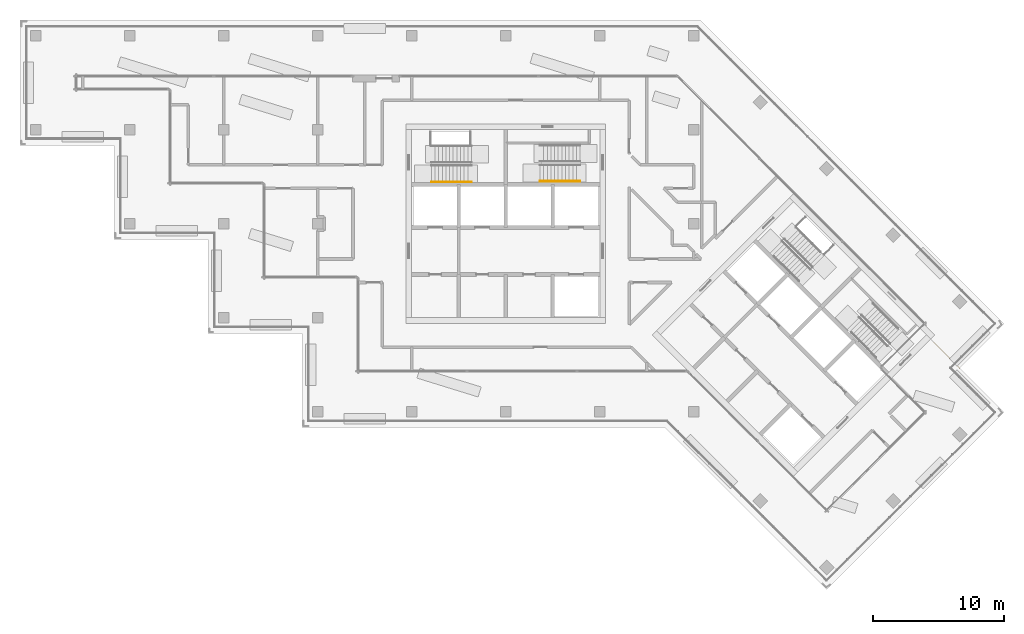
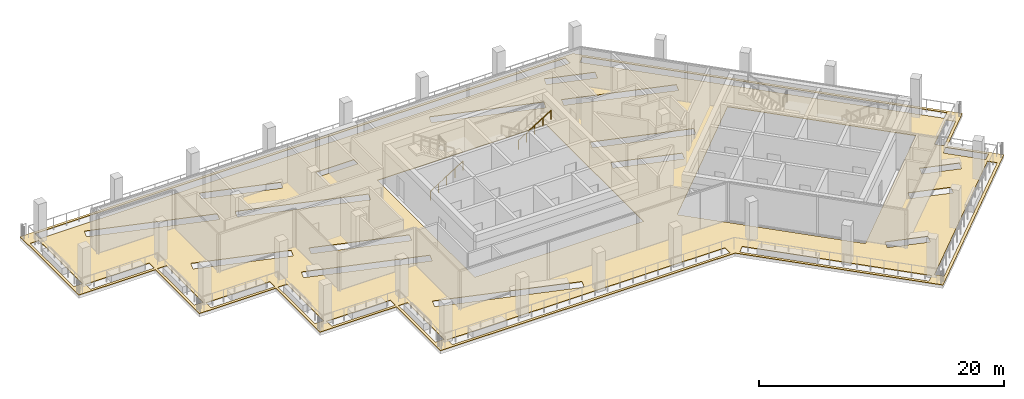
# One storey, part 14 of 20: 2 railings, 1 covering.
"""IFC4 building model written with IfcOpenShell, lengths in metres."""

from ifc_helpers import new_model, si_unit, direction, frame, origin, origin_2d, place, context, subcontext, project, spatial, polyline, circle, outline, extrude, material, layer, layer_set, type_object, element, save


model = new_model("IFC4")

# Units and contexts
model_context = context("Model", 3, precision=1e-05, world=origin(), true_north=direction((0.0, 1.0)))
body_context = subcontext(model_context, "Body", "Model", "MODEL_VIEW")
ifc_project = project(units=[si_unit("LENGTHUNIT", "METRE"), si_unit("AREAUNIT", "SQUARE_METRE"), si_unit("VOLUMEUNIT", "CUBIC_METRE"), si_unit("PLANEANGLEUNIT", "RADIAN"), si_unit("MASSUNIT", "GRAM", prefix="KILO")], contexts=[model_context])

# Site, building, storey
site_placement = place(None, origin())
site = spatial("IfcSite", under=ifc_project, at=site_placement, CompositionType="ELEMENT")
building_placement = place(site_placement, origin())
building = spatial("IfcBuilding", under=site, at=building_placement, Name="Windrow Commons", CompositionType="ELEMENT")
storey_placement = place(building_placement, frame((0.0, 0.0, 239.6)))
storey = spatial("IfcBuildingStorey", under=building, at=storey_placement, Name="L65", CompositionType="ELEMENT", Elevation=239.6)

# Railings
ifc_material_1 = material(Name="Steel S355", Category="steel")
railing_type = type_object("IfcRailingType", Name="Core stair handrail 900", PredefinedType="HANDRAIL", material=ifc_material_1)
railing_1_placement = place(storey_placement, frame((59.1, 60.8, 0.175)))
element("IfcRailing", 1, at=railing_1_placement, inside=storey, type_object=railing_type, Name="L65 ST-A1 stair handrail 1", PredefinedType="HANDRAIL", context=body_context, shape_type="SweptSolid", body=[
    extrude(circle(Radius=0.024, at=origin_2d()), frame((0.0, 0.0, 0.876), z_axis=(0.847998304, 0.0, 0.52999894), x_axis=(0.0, 1.0, 0.0)), (0.0, 0.0, 1.0), 3.6321),
    extrude(circle(Radius=0.021, at=origin_2d()), origin(), (0.0, 0.0, 1.0), 0.852),
    extrude(circle(Radius=0.021, at=origin_2d()), frame((0.77, 0.0, 0.4812)), (0.0, 0.0, 1.0), 0.852),
    extrude(circle(Radius=0.021, at=origin_2d()), frame((1.54, 0.0, 0.9625)), (0.0, 0.0, 1.0), 0.852),
    extrude(circle(Radius=0.021, at=origin_2d()), frame((2.31, 0.0, 1.4437)), (0.0, 0.0, 1.0), 0.852),
    extrude(circle(Radius=0.021, at=origin_2d()), frame((3.08, 0.0, 1.925)), (0.0, 0.0, 1.0), 0.852),
])
railing_2_placement = place(storey_placement, frame((67.42, 60.855, 2.275)))
element("IfcRailing", 2, at=railing_2_placement, inside=storey, type_object=railing_type, Name="L65 ST-A2 stair handrail 2", PredefinedType="HANDRAIL", context=body_context, shape_type="SweptSolid", body=[
    extrude(circle(Radius=0.024, at=origin_2d()), frame((0.0, 0.0, 0.876), z_axis=(0.847998304, 0.0, 0.52999894), x_axis=(0.0, 1.0, 0.0)), (0.0, 0.0, 1.0), 3.6321),
    extrude(circle(Radius=0.021, at=origin_2d()), origin(), (0.0, 0.0, 1.0), 0.852),
    extrude(circle(Radius=0.021, at=origin_2d()), frame((0.77, 0.0, 0.4813)), (0.0, 0.0, 1.0), 0.852),
    extrude(circle(Radius=0.021, at=origin_2d()), frame((1.54, 0.0, 0.9625)), (0.0, 0.0, 1.0), 0.852),
    extrude(circle(Radius=0.021, at=origin_2d()), frame((2.31, 0.0, 1.4438)), (0.0, 0.0, 1.0), 0.852),
    extrude(circle(Radius=0.021, at=origin_2d()), frame((3.08, 0.0, 1.925)), (0.0, 0.0, 1.0), 0.852),
])

# Covering
ifc_material_2 = material(Name="Granite paving", Category="masonry")
ifc_layer = layer(ifc_material_2, 0.05)
ifc_layer_set = layer_set([ifc_layer], Name="Terrace paving 50")
covering_type = type_object("IfcCoveringType", Name="Terrace paving 50", PredefinedType="FLOORING", material=ifc_layer_set)
covering_placement = place(storey_placement, origin())
element("IfcCovering", 3, at=covering_placement, inside=storey, type_object=covering_type, Name="Terrace paving TR-L65-1", PredefinedType="FLOORING", context=body_context, shape_type="SweptSolid", body=[
    extrude(outline(polyline([(49.2, 42.0), (49.2, 49.2), (42.0, 49.2), (42.0, 56.4), (34.8, 56.4), (34.8, 63.6), (27.6, 63.6), (27.6, 73.2), (79.6971, 73.2), (102.9588, 49.9383), (99.5647, 46.5442), (102.9588, 43.15), (89.3823, 29.5736), (76.9559, 42.0), (49.2, 42.0)]), holes=[polyline([(51.9154, 47.6486), (63.8757, 43.9499), (64.118, 44.7333), (52.1577, 48.432), (51.9154, 47.6486)]), polyline([(50.26, 43.25), (50.26, 49.25), (49.44, 49.25), (49.44, 43.25), (50.26, 43.25)]), polyline([(49.25, 50.26), (43.25, 50.26), (43.25, 49.44), (49.25, 49.44), (49.25, 50.26)]), polyline([(43.06, 50.45), (43.06, 56.45), (42.24, 56.45), (42.24, 50.45), (43.06, 50.45)]), polyline([(44.7154, 56.5743), (54.9923, 53.3961), (55.2346, 54.1795), (44.9577, 57.3577), (44.7154, 56.5743)]), polyline([(42.05, 57.46), (36.05, 57.46), (36.05, 56.64), (42.05, 56.64), (42.05, 57.46)]), polyline([(46.9704, 59.2265), (54.9923, 56.7457), (55.2346, 57.529), (47.2127, 60.0098), (46.9704, 59.2265)]), polyline([(35.86, 57.65), (35.86, 63.65), (35.04, 63.65), (35.04, 57.65), (35.86, 57.65)]), polyline([(37.5154, 62.1504), (45.5373, 59.6696), (45.7796, 60.453), (37.7577, 62.9338), (37.5154, 62.1504)]), polyline([(34.85, 64.66), (28.85, 64.66), (28.85, 63.84), (34.85, 63.84), (34.85, 64.66)]), polyline([(44.3556, 66.7341), (54.9923, 63.4447), (55.2346, 64.2281), (44.5979, 67.5175), (44.3556, 66.7341)]), polyline([(28.66, 64.85), (28.66, 71.95), (27.84, 71.95), (27.84, 64.85), (28.66, 64.85)]), polyline([(53.0784, 69.05), (53.0784, 68.4), (56.6784, 68.4), (56.6784, 69.05), (53.0784, 69.05)]), polyline([(32.2858, 70.4667), (42.9225, 67.1773), (43.1648, 67.9607), (32.5281, 71.2501), (32.2858, 70.4667)]), polyline([(43.1169, 70.4667), (49.6245, 68.4542), (49.8667, 69.2376), (43.3592, 71.2501), (43.1169, 70.4667)]), polyline([(28.85, 72.14), (78.8279, 72.14), (78.8279, 72.96), (28.85, 72.96), (28.85, 72.14)]), polyline([(88.0998, 36.4586), (91.5383, 35.3952), (91.7806, 36.1786), (88.342, 37.242), (88.0998, 36.4586)]), polyline([(89.2479, 31.207), (77.9393, 42.5156), (77.3595, 41.9358), (88.6681, 30.6272), (89.2479, 31.207)]), polyline([(101.3254, 43.0157), (89.5167, 31.207), (90.0965, 30.6271), (101.9052, 42.4358), (101.3254, 43.0157)]), polyline([(93.2165, 41.5753), (96.655, 40.5119), (96.8973, 41.2953), (93.4587, 42.3587), (93.2165, 41.5753)]), polyline([(76.6251, 43.06), (50.45, 43.06), (50.45, 42.24), (76.6251, 42.24), (76.6251, 43.06)]), polyline([(95.7748, 44.1336), (98.9518, 43.1512), (99.194, 43.9346), (96.0171, 44.917), (95.7748, 44.1336)]), polyline([(98.7798, 45.83), (101.3254, 43.2844), (101.9053, 43.8642), (99.3597, 46.4098), (98.7798, 45.83)]), polyline([(101.3254, 49.8039), (98.7799, 47.2584), (99.3597, 46.6786), (101.9052, 49.2241), (101.3254, 49.8039)]), polyline([(86.8368, 60.3327), (75.5938, 49.0897), (86.8368, 37.8467), (98.0798, 49.0897), (86.8368, 60.3327)]), polyline([(74.3654, 57.4536), (80.0802, 55.6863), (80.3225, 56.4697), (74.6077, 58.237), (74.3654, 57.4536)]), polyline([(56.85, 65.55), (56.85, 49.65), (72.75, 49.65), (72.75, 65.55), (56.85, 65.55)]), polyline([(74.3654, 60.8031), (82.6386, 58.2446), (82.8809, 59.028), (74.6077, 61.5865), (74.3654, 60.8031)]), polyline([(79.5623, 71.8358), (101.3254, 50.0727), (101.9052, 50.6525), (80.1421, 72.4156), (79.5623, 71.8358)]), polyline([(75.3728, 67.1906), (84.5336, 64.3576), (84.7758, 65.141), (75.6151, 67.974), (75.3728, 67.1906)]), polyline([(64.7791, 70.4667), (73.9398, 67.6338), (74.1821, 68.4172), (65.0214, 71.2501), (64.7791, 70.4667)]), polyline([(75.6102, 70.4667), (79.6844, 69.2068), (79.9267, 69.9901), (75.8525, 71.2501), (75.6102, 70.4667)])]), origin(), (0.0, 0.0, 1.0), 0.05),
])

save(model, "model.ifc")
